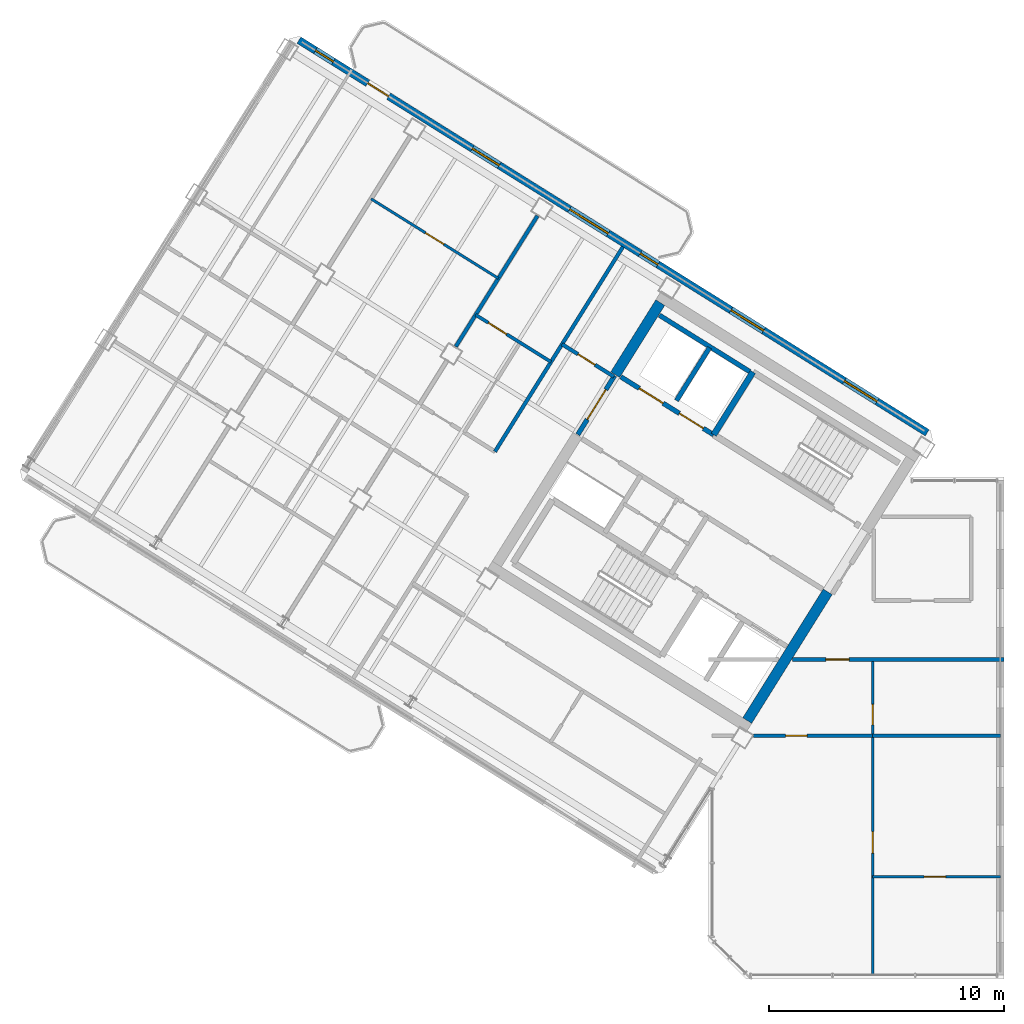
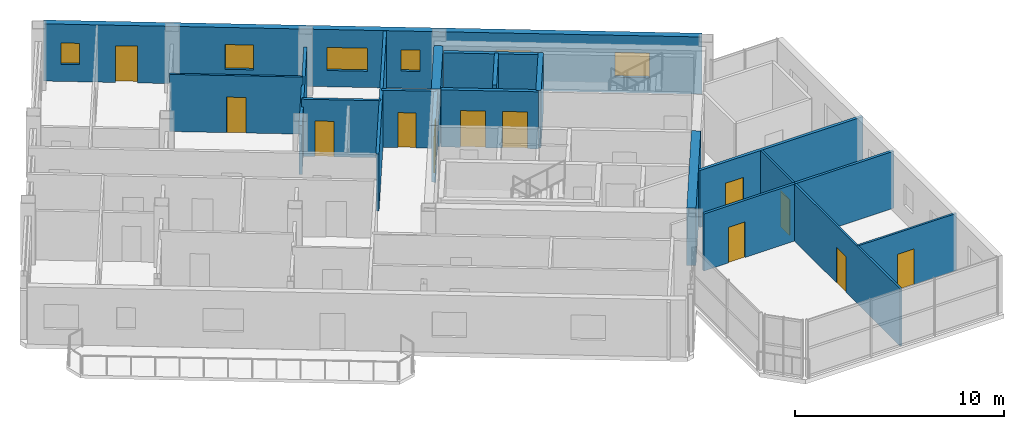
# One storey, part 10 of 17: 18 walls, 12 doors, 6 windows, 18 openings.
"""IFC4 building model written with IfcOpenShell, lengths in metres."""

from ifc_helpers import new_model, si_unit, direction, frame, frame_2d, origin, place, context, subcontext, project, spatial, rectangle, extrude, source, transform, mapped, material, layer, layer_set, type_object, element, fill, save


model = new_model("IFC4")

# Units and contexts
model_context = context("Model", 3, precision=1e-05, world=origin(), true_north=direction((0.0, 1.0)))
body_context = subcontext(model_context, "Body", "Model", "MODEL_VIEW")
ifc_project = project(units=[si_unit("LENGTHUNIT", "METRE"), si_unit("AREAUNIT", "SQUARE_METRE"), si_unit("VOLUMEUNIT", "CUBIC_METRE"), si_unit("PLANEANGLEUNIT", "RADIAN"), si_unit("MASSUNIT", "GRAM", prefix="KILO")], contexts=[model_context])

# Site, building, storey
site_placement = place(None, origin())
site = spatial("IfcSite", under=ifc_project, at=site_placement, CompositionType="ELEMENT")
building_placement = place(site_placement, origin())
building = spatial("IfcBuilding", under=site, at=building_placement, Name="Tlacorven Tower", CompositionType="ELEMENT")
storey_placement = place(building_placement, frame((0.0, 0.0, 270.0)))
storey = spatial("IfcBuildingStorey", under=building, at=storey_placement, Name="L68", CompositionType="ELEMENT", Elevation=270.0)

# Walls
ifc_material_1 = material(Name="Concrete C50/60", Category="concrete")
ifc_layer_1 = layer(ifc_material_1, 0.449951171875)
ifc_layer_set_1 = layer_set([ifc_layer_1], Name="Concrete C50/60")
wall_type_1 = type_object("IfcWallType", Name="WL-COR-450", PredefinedType="SHEAR", material=ifc_layer_set_1)
wall_1_placement = place(storey_placement, frame((36.683349609375, 18.30419921875, 0.0), z_axis=(0.0, 0.0, 1.0), x_axis=(-0.529904039071, -0.848057609704, 0.0)))
element("IfcWall", 1, at=wall_1_placement, inside=storey, type_object=wall_type_1, Name="L68 W core end wall E1.2", PredefinedType="SHEAR", context=body_context, shape_type="SweptSolid", body=[
    extrude(rectangle(XDim=6.47509765625, YDim=0.449951171875, at=frame_2d((3.237548828125, 0.0))), origin(), (0.0, 0.0, 1.0), 3.35009765625),
])
wall_2_placement = place(storey_placement, frame((29.543701171875, 30.636474609375, 0.0), z_axis=(0.0, 0.0, 1.0), x_axis=(-0.529902075036, -0.848058836916, 0.0)))
element("IfcWall", 2, at=wall_2_placement, inside=storey, type_object=wall_type_1, Name="L68 W core end wall E2.1", PredefinedType="SHEAR", context=body_context, shape_type="SweptSolid", body=[
    extrude(rectangle(XDim=3.625, YDim=0.449951171875, at=frame_2d((1.8125, 0.0))), origin(), (0.0, 0.0, 1.0), 3.35009765625),
])

# Wall, opening, door
ifc_material_2 = material(Name="Gypsum plasterboard acoustic partition", Category="gypsum")
ifc_layer_2 = layer(ifc_material_2, 0.159912109375)
ifc_layer_set_2 = layer_set([ifc_layer_2], Name="Gypsum plasterboard acoustic partition")
wall_type_2 = type_object("IfcWallType", Name="WL-DEM-160", PredefinedType="PARTITIONING", material=ifc_layer_set_2)
wall_3_placement = place(storey_placement, frame((27.56982421875, 27.4775390625, 0.0), z_axis=(0.0, 0.0, 1.0), x_axis=(-0.848050851465, 0.529914854792, 0.0)))
wall_3 = element("IfcWall", 3, at=wall_3_placement, inside=storey, type_object=wall_type_2, Name="L68 partition 22", PredefinedType="PARTITIONING", context=body_context, shape_type="SweptSolid", body=[
    extrude(rectangle(XDim=2.60986328125, YDim=0.159912109375, at=frame_2d((1.304931640625, 0.0))), origin(), (0.0, 0.0, 1.0), 3.340087890625),
])
opening_1_placement = place(wall_3_placement, frame((0.949951171875, 0.0, 0.0)))
opening_1 = element("IfcOpeningElement", 4, at=opening_1_placement, cuts=wall_3, Name="Opening D19", PredefinedType="OPENING", context=body_context, shape_type="SweptSolid", body=[
    extrude(rectangle(XDim=0.860107421875, YDim=2.050048828125, at=frame_2d((0.43017578125, 1.02490234375))), frame((0.0, 0.08984375, 0.0), z_axis=(0.0, -1.0, 0.0), x_axis=(1.0, 0.0, 0.0)), (0.0, 0.0, 1.0), 0.179931640625),
])
ifc_material_3 = material(Name="Fire-rated steel door assembly", Category="steel")
door_type_1 = type_object("IfcDoorType", Name="DR-RSR-FD60-0860", OperationType="NOTDEFINED", PredefinedType="DOOR", material=ifc_material_3)
shared_shape_1 = source(origin(), body_context, "Body", "SweptSolid", [
    extrude(rectangle(XDim=0.860107421875, YDim=2.050048828125, at=frame_2d((0.43017578125, 1.02490234375))), frame((0.0, 0.02490234375, 0.0), z_axis=(0.0, -1.0, 0.0), x_axis=(1.0, 0.0, 0.0)), (0.0, 0.0, 1.0), 0.050048828125),
])
door_1_placement = place(opening_1_placement, frame((0.860107421875, 0.0, 0.0), z_axis=(0.0, 0.0, 1.0), x_axis=(-1.0, 0.0, 0.0)))
door_1 = element("IfcDoor", 5, at=door_1_placement, inside=storey, type_object=door_type_1, Name="L68 door 013", OperationType="SINGLE_SWING_RIGHT", OverallHeight=2.050048828125, OverallWidth=0.860107421875, PredefinedType="DOOR", context=body_context, shape_type="MappedRepresentation", body=[
    mapped(shared_shape_1, transform((0.0, 0.0, 0.0), scale=1.0)),
])
fill(opening_1, door_1)

# Walls
wall_4_placement = place(storey_placement, frame((27.952880859375, 33.01611328125, 0.0), z_axis=(0.0, 0.0, 1.0), x_axis=(-0.529909450694, -0.848054228257, 0.0)))
element("IfcWall", 6, at=wall_4_placement, inside=storey, type_object=wall_type_2, Name="L68 partition 24", PredefinedType="PARTITIONING", context=body_context, shape_type="SweptSolid", body=[
    extrude(rectangle(XDim=10.2998046875, YDim=0.159912109375, at=frame_2d((5.14990234375, 0.0))), origin(), (0.0, 0.0, 1.0), 3.340087890625),
])
wall_5_placement = place(storey_placement, frame((24.30859375, 34.3359375, 0.0), z_axis=(0.0, 0.0, 1.0), x_axis=(-0.529895484599, -0.848062954858, 0.0)))
element("IfcWall", 7, at=wall_5_placement, inside=storey, type_object=wall_type_2, Name="L68 WS Demising Wall 1", PredefinedType="PARTITIONING", context=body_context, shape_type="SweptSolid", body=[
    extrude(rectangle(XDim=6.576171875, YDim=0.159912109375, at=frame_2d((3.2880859375, 0.0))), origin(), (0.0, 0.0, 1.0), 2.875),
])

# Wall, opening, door
wall_6_placement = place(storey_placement, frame((35.178466796875, 15.419921875, 0.0), z_axis=(0.0, 0.0, 1.0), x_axis=(1.0, 0.0, 0.0)))
wall_6 = element("IfcWall", 8, at=wall_6_placement, inside=storey, type_object=wall_type_2, Name="L68 Knuckle Corridor South Wall", PredefinedType="PARTITIONING", context=body_context, shape_type="SweptSolid", body=[
    extrude(rectangle(XDim=9.021484375, YDim=0.159912109375, at=frame_2d((4.5107421875, 0.0))), origin(), (0.0, 0.0, 1.0), 3.340087890625),
])
opening_2_placement = place(wall_6_placement, frame((1.421630859375, 0.0, 0.0)))
opening_2 = element("IfcOpeningElement", 9, at=opening_2_placement, cuts=wall_6, Name="Opening D11", PredefinedType="OPENING", context=body_context, shape_type="SweptSolid", body=[
    extrude(rectangle(XDim=1.0, YDim=2.10009765625, at=frame_2d((0.5, 1.050048828125))), frame((0.0, 0.08984375, 0.0), z_axis=(0.0, -1.0, 0.0), x_axis=(1.0, 0.0, 0.0)), (0.0, 0.0, 1.0), 0.179931640625),
])
door_type_2 = type_object("IfcDoorType", Name="DR-FLT-FD60-1000", OperationType="NOTDEFINED", PredefinedType="DOOR", material=ifc_material_3)
shared_shape_2 = source(origin(), body_context, "Body", "SweptSolid", [
    extrude(rectangle(XDim=1.0, YDim=2.10009765625, at=frame_2d((0.5, 1.050048828125))), frame((0.0, 0.02490234375, 0.0), z_axis=(0.0, -1.0, 0.0), x_axis=(1.0, 0.0, 0.0)), (0.0, 0.0, 1.0), 0.050048828125),
])
door_2_placement = place(opening_2_placement, frame((1.0, 0.0, 0.0), z_axis=(0.0, 0.0, 1.0), x_axis=(-1.0, 0.0, 0.0)))
door_2 = element("IfcDoor", 10, at=door_2_placement, inside=storey, type_object=door_type_2, Name="L68 door 042", OperationType="SINGLE_SWING_LEFT", OverallHeight=2.10009765625, OverallWidth=1.0, PredefinedType="DOOR", context=body_context, shape_type="MappedRepresentation", body=[
    mapped(shared_shape_2, transform((0.0, 0.0, 0.0), scale=1.0)),
])
fill(opening_2, door_2)

# Wall, openings, door, windows
ifc_material_4 = material(Name="Precast concrete C45/55", Category="concrete")
ifc_layer_3 = layer(ifc_material_4, 0.320068359375)
ifc_layer_set_3 = layer_set([ifc_layer_3], Name="Precast concrete C45/55")
wall_type_3 = type_object("IfcWallType", Name="WL-EXT-320", PredefinedType="STANDARD", material=ifc_layer_set_3)
wall_7_placement = place(storey_placement, frame((14.13818359375, 41.825439453125, 0.0), z_axis=(0.0, 0.0, 1.0), x_axis=(0.848046498049, -0.529921821731, 0.0)))
wall_7 = element("IfcWall", 11, at=wall_7_placement, inside=storey, type_object=wall_type_3, Name="L68 Masonry-Frame Recessed Facade Wall 4", PredefinedType="STANDARD", context=body_context, shape_type="SweptSolid", body=[
    extrude(rectangle(XDim=31.587646484375, YDim=0.320068359375, at=frame_2d((15.7939453125, 0.0))), origin(), (0.0, 0.0, 1.0), 3.35009765625),
])
opening_3_placement = place(wall_7_placement, frame((3.4599609375, 0.0, 0.0)))
opening_3 = element("IfcOpeningElement", 12, at=opening_3_placement, cuts=wall_7, Name="Opening D06", PredefinedType="OPENING", context=body_context, shape_type="SweptSolid", body=[
    extrude(rectangle(XDim=1.050048828125, YDim=2.14990234375, at=frame_2d((0.52490234375, 1.074951171875))), frame((0.0, 0.169921875, 0.0), z_axis=(0.0, -1.0, 0.0), x_axis=(1.0, 0.0, 0.0)), (0.0, 0.0, 1.0), 0.340087890625),
])
opening_4_placement = place(wall_7_placement, frame((0.831298828125, 0.0, 1.0)))
opening_4 = element("IfcOpeningElement", 13, at=opening_4_placement, cuts=wall_7, Name="Opening WN05", PredefinedType="OPENING", context=body_context, shape_type="SweptSolid", body=[
    extrude(rectangle(XDim=0.89990234375, YDim=1.25, at=frame_2d((0.449951171875, 0.625))), frame((0.0, 0.169921875, 0.0), z_axis=(0.0, -1.0, 0.0), x_axis=(1.0, 0.0, 0.0)), (0.0, 0.0, 1.0), 0.340087890625),
])
opening_5_placement = place(wall_7_placement, frame((8.71875, 0.0, 0.89990234375)))
opening_5 = element("IfcOpeningElement", 14, at=opening_5_placement, cuts=wall_7, Name="Opening WN08", PredefinedType="OPENING", context=body_context, shape_type="SweptSolid", body=[
    extrude(rectangle(XDim=1.35009765625, YDim=1.449951171875, at=frame_2d((0.675048828125, 0.72509765625))), frame((0.0, 0.169921875, 0.0), z_axis=(0.0, -1.0, 0.0), x_axis=(1.0, 0.0, 0.0)), (0.0, 0.0, 1.0), 0.340087890625),
])
opening_6_placement = place(wall_7_placement, frame((13.5986328125, 0.0, 0.949951171875)))
opening_6 = element("IfcOpeningElement", 15, at=opening_6_placement, cuts=wall_7, Name="Opening WN09", PredefinedType="OPENING", context=body_context, shape_type="SweptSolid", body=[
    extrude(rectangle(XDim=1.949951171875, YDim=1.35009765625, at=frame_2d((0.97509765625, 0.675048828125))), frame((0.0, 0.169921875, 0.0), z_axis=(0.0, -1.0, 0.0), x_axis=(1.0, 0.0, 0.0)), (0.0, 0.0, 1.0), 0.340087890625),
])
opening_7_placement = place(wall_7_placement, frame((17.15380859375, 0.0, 1.0)))
opening_7 = element("IfcOpeningElement", 16, at=opening_7_placement, cuts=wall_7, Name="Opening WN05", PredefinedType="OPENING", context=body_context, shape_type="SweptSolid", body=[
    extrude(rectangle(XDim=0.89990234375, YDim=1.25, at=frame_2d((0.449951171875, 0.625))), frame((0.0, 0.169921875, 0.0), z_axis=(0.0, -1.0, 0.0), x_axis=(1.0, 0.0, 0.0)), (0.0, 0.0, 1.0), 0.340087890625),
])
opening_8_placement = place(wall_7_placement, frame((21.71875, 0.0, 0.89990234375)))
opening_8 = element("IfcOpeningElement", 17, at=opening_8_placement, cuts=wall_7, Name="Opening WN07", PredefinedType="OPENING", context=body_context, shape_type="SweptSolid", body=[
    extrude(rectangle(XDim=1.64990234375, YDim=1.449951171875, at=frame_2d((0.824951171875, 0.72509765625))), frame((0.0, 0.169921875, 0.0), z_axis=(0.0, -1.0, 0.0), x_axis=(1.0, 0.0, 0.0)), (0.0, 0.0, 1.0), 0.340087890625),
])
opening_9_placement = place(wall_7_placement, frame((27.418701171875, 0.0, 0.89990234375)))
opening_9 = element("IfcOpeningElement", 18, at=opening_9_placement, cuts=wall_7, Name="Opening WN07", PredefinedType="OPENING", context=body_context, shape_type="SweptSolid", body=[
    extrude(rectangle(XDim=1.64990234375, YDim=1.449951171875, at=frame_2d((0.824951171875, 0.72509765625))), frame((0.0, 0.169921875, 0.0), z_axis=(0.0, -1.0, 0.0), x_axis=(1.0, 0.0, 0.0)), (0.0, 0.0, 1.0), 0.340087890625),
])
ifc_material_5 = material(Name="Powder-coated aluminium and timber door", Category="wood")
door_type_3 = type_object("IfcDoorType", Name="DR-EXT-BALC-1050", OperationType="NOTDEFINED", PredefinedType="DOOR", material=ifc_material_5)
shared_shape_3 = source(origin(), body_context, "Body", "SweptSolid", [
    extrude(rectangle(XDim=1.050048828125, YDim=2.14990234375, at=frame_2d((0.52490234375, 1.074951171875))), frame((0.0, 0.02490234375, 0.0), z_axis=(0.0, -1.0, 0.0), x_axis=(1.0, 0.0, 0.0)), (0.0, 0.0, 1.0), 0.050048828125),
])
door_3_placement = place(opening_3_placement, origin())
door_3 = element("IfcDoor", 19, at=door_3_placement, inside=storey, type_object=door_type_3, Name="L68 Outdoor Access Door BAL-L68-W-IN", OperationType="SINGLE_SWING_RIGHT", OverallHeight=2.14990234375, OverallWidth=1.050048828125, PredefinedType="DOOR", context=body_context, shape_type="MappedRepresentation", body=[
    mapped(shared_shape_3, transform((0.0, 0.0, 0.0), scale=1.0)),
])
fill(opening_3, door_3)
ifc_material_6 = material(Name="Dark solar low-E double glazing in anodised aluminium frame", Category="aluminium")
window_type_1 = type_object("IfcWindowType", Name="WN-APT-0900X1350", PartitioningType="SINGLE_PANEL", PredefinedType="WINDOW", material=ifc_material_6)
shared_shape_4 = source(origin(), body_context, "Body", "SweptSolid", [
    extrude(rectangle(XDim=0.89990234375, YDim=1.25, at=frame_2d((0.449951171875, 0.625))), frame((0.0, 0.030029296875, 0.0), z_axis=(0.0, -1.0, 0.0), x_axis=(1.0, 0.0, 0.0)), (0.0, 0.0, 1.0), 0.06005859375),
])
window_1_placement = place(opening_4_placement, origin())
window_1 = element("IfcWindow", 20, at=window_1_placement, inside=storey, type_object=window_type_1, Name="L68 Recessed Masonry-Frame Window L68-04.1", OverallHeight=1.25, OverallWidth=0.89990234375, PartitioningType="SINGLE_PANEL", PredefinedType="WINDOW", context=body_context, shape_type="MappedRepresentation", body=[
    mapped(shared_shape_4, transform((0.0, 0.0, 0.0), scale=1.0)),
])
fill(opening_4, window_1)
window_2_placement = place(opening_7_placement, origin())
window_2 = element("IfcWindow", 21, at=window_2_placement, inside=storey, type_object=window_type_1, Name="L68 Recessed Masonry-Frame Window L68-04.4", OverallHeight=1.25, OverallWidth=0.89990234375, PartitioningType="SINGLE_PANEL", PredefinedType="WINDOW", context=body_context, shape_type="MappedRepresentation", body=[
    mapped(shared_shape_4, transform((0.0, 0.0, 0.0), scale=1.0)),
])
fill(opening_7, window_2)
window_type_2 = type_object("IfcWindowType", Name="WN-APT-1650X1600", PartitioningType="SINGLE_PANEL", PredefinedType="WINDOW", material=ifc_material_6)
shared_shape_5 = source(origin(), body_context, "Body", "SweptSolid", [
    extrude(rectangle(XDim=1.64990234375, YDim=1.449951171875, at=frame_2d((0.824951171875, 0.72509765625))), frame((0.0, 0.030029296875, 0.0), z_axis=(0.0, -1.0, 0.0), x_axis=(1.0, 0.0, 0.0)), (0.0, 0.0, 1.0), 0.06005859375),
])
window_3_placement = place(opening_8_placement, origin())
window_3 = element("IfcWindow", 22, at=window_3_placement, inside=storey, type_object=window_type_2, Name="L68 Recessed Masonry-Frame Window L68-04.5", OverallHeight=1.449951171875, OverallWidth=1.64990234375, PartitioningType="SINGLE_PANEL", PredefinedType="WINDOW", context=body_context, shape_type="MappedRepresentation", body=[
    mapped(shared_shape_5, transform((0.0, 0.0, 0.0), scale=1.0)),
])
fill(opening_8, window_3)
window_4_placement = place(opening_9_placement, origin())
window_4 = element("IfcWindow", 23, at=window_4_placement, inside=storey, type_object=window_type_2, Name="L68 Recessed Masonry-Frame Window L68-04.6", OverallHeight=1.449951171875, OverallWidth=1.64990234375, PartitioningType="SINGLE_PANEL", PredefinedType="WINDOW", context=body_context, shape_type="MappedRepresentation", body=[
    mapped(shared_shape_5, transform((0.0, 0.0, 0.0), scale=1.0)),
])
fill(opening_9, window_4)
window_type_3 = type_object("IfcWindowType", Name="WN-APT-1350X1550", PartitioningType="SINGLE_PANEL", PredefinedType="WINDOW", material=ifc_material_6)
shared_shape_6 = source(origin(), body_context, "Body", "SweptSolid", [
    extrude(rectangle(XDim=1.35009765625, YDim=1.449951171875, at=frame_2d((0.675048828125, 0.72509765625))), frame((0.0, 0.030029296875, 0.0), z_axis=(0.0, -1.0, 0.0), x_axis=(1.0, 0.0, 0.0)), (0.0, 0.0, 1.0), 0.06005859375),
])
window_5_placement = place(opening_5_placement, origin())
window_5 = element("IfcWindow", 24, at=window_5_placement, inside=storey, type_object=window_type_3, Name="L68 Recessed Masonry-Frame Window L68-04.2", OverallHeight=1.449951171875, OverallWidth=1.35009765625, PartitioningType="SINGLE_PANEL", PredefinedType="WINDOW", context=body_context, shape_type="MappedRepresentation", body=[
    mapped(shared_shape_6, transform((0.0, 0.0, 0.0), scale=1.0)),
])
fill(opening_5, window_5)
window_type_4 = type_object("IfcWindowType", Name="WN-GAL-1950X1450", PartitioningType="SINGLE_PANEL", PredefinedType="WINDOW", material=ifc_material_6)
shared_shape_7 = source(origin(), body_context, "Body", "SweptSolid", [
    extrude(rectangle(XDim=1.949951171875, YDim=1.35009765625, at=frame_2d((0.97509765625, 0.675048828125))), frame((0.0, 0.030029296875, 0.0), z_axis=(0.0, -1.0, 0.0), x_axis=(1.0, 0.0, 0.0)), (0.0, 0.0, 1.0), 0.06005859375),
])
window_6_placement = place(opening_6_placement, origin())
window_6 = element("IfcWindow", 25, at=window_6_placement, inside=storey, type_object=window_type_4, Name="L68 Recessed Masonry-Frame Window L68-04.3", OverallHeight=1.35009765625, OverallWidth=1.949951171875, PartitioningType="SINGLE_PANEL", PredefinedType="WINDOW", context=body_context, shape_type="MappedRepresentation", body=[
    mapped(shared_shape_7, transform((0.0, 0.0, 0.0), scale=1.0)),
])
fill(opening_6, window_6)

# Wall, opening, door
ifc_material_7 = material(Name="Gypsum plasterboard partition", Category="gypsum")
ifc_layer_4 = layer(ifc_material_7, 0.110107421875)
ifc_layer_set_4 = layer_set([ifc_layer_4], Name="Gypsum plasterboard partition")
wall_type_4 = type_object("IfcWallType", Name="WL-INT-110", PredefinedType="PARTITIONING", material=ifc_layer_set_4)
wall_8_placement = place(storey_placement, frame((22.6416015625, 31.66796875, 0.0), z_axis=(0.0, 0.0, 1.0), x_axis=(-0.84806687439, 0.529889211593, 0.0)))
wall_8 = element("IfcWall", 26, at=wall_8_placement, inside=storey, type_object=wall_type_4, Name="L68 partition 42", PredefinedType="PARTITIONING", context=body_context, shape_type="SweptSolid", body=[
    extrude(rectangle(XDim=6.400146484375, YDim=0.110107421875, at=frame_2d((3.2001953125, 0.0))), origin(), (0.0, 0.0, 1.0), 3.340087890625),
])
opening_10_placement = place(wall_8_placement, frame((2.739990234375, 0.0, 0.0)))
opening_10 = element("IfcOpeningElement", 27, at=opening_10_placement, cuts=wall_8, Name="Opening D12", PredefinedType="OPENING", context=body_context, shape_type="SweptSolid", body=[
    extrude(rectangle(XDim=0.919921875, YDim=2.080078125, at=frame_2d((0.4599609375, 1.0400390625))), frame((0.0, 0.06494140625, 0.0), z_axis=(0.0, -1.0, 0.0), x_axis=(1.0, 0.0, 0.0)), (0.0, 0.0, 1.0), 0.130126953125),
])
door_type_4 = type_object("IfcDoorType", Name="DR-INT-ROOM-0920", OperationType="NOTDEFINED", PredefinedType="DOOR", material=ifc_material_5)
shared_shape_8 = source(origin(), body_context, "Body", "SweptSolid", [
    extrude(rectangle(XDim=0.919921875, YDim=2.080078125, at=frame_2d((0.4599609375, 1.0400390625))), frame((0.0, 0.02490234375, 0.0), z_axis=(0.0, -1.0, 0.0), x_axis=(1.0, 0.0, 0.0)), (0.0, 0.0, 1.0), 0.050048828125),
])
door_4_placement = place(opening_10_placement, origin())
door_4 = element("IfcDoor", 28, at=door_4_placement, inside=storey, type_object=door_type_4, Name="L68 door 029", OperationType="SINGLE_SWING_LEFT", OverallHeight=2.080078125, OverallWidth=0.919921875, PredefinedType="DOOR", context=body_context, shape_type="MappedRepresentation", body=[
    mapped(shared_shape_8, transform((0.0, 0.0, 0.0), scale=1.0)),
])
fill(opening_10, door_4)

# Wall, openings, doors
wall_9_placement = place(storey_placement, frame((38.60009765625, 1.9599609375, 0.0), z_axis=(0.0, 0.0, 1.0), x_axis=(0.0, 1.0, 0.0)))
wall_9 = element("IfcWall", 29, at=wall_9_placement, inside=storey, type_object=wall_type_4, Name="L68 partition 57", PredefinedType="PARTITIONING", context=body_context, shape_type="SweptSolid", body=[
    extrude(rectangle(XDim=13.4599609375, YDim=0.110107421875, at=frame_2d((6.72998046875, 0.0))), origin(), (0.0, 0.0, 1.0), 3.340087890625),
])
opening_11_placement = place(wall_9_placement, frame((5.199951171875, 0.0, 0.0)))
opening_11 = element("IfcOpeningElement", 30, at=opening_11_placement, cuts=wall_9, Name="Opening D12", PredefinedType="OPENING", context=body_context, shape_type="SweptSolid", body=[
    extrude(rectangle(XDim=0.919921875, YDim=2.080078125, at=frame_2d((0.4599609375, 1.0400390625))), frame((0.0, 0.06494140625, 0.0), z_axis=(0.0, -1.0, 0.0), x_axis=(1.0, 0.0, 0.0)), (0.0, 0.0, 1.0), 0.130126953125),
])
opening_12_placement = place(wall_9_placement, frame((10.669921875, 0.0, 0.0)))
opening_12 = element("IfcOpeningElement", 31, at=opening_12_placement, cuts=wall_9, Name="Opening D13", PredefinedType="OPENING", context=body_context, shape_type="SweptSolid", body=[
    extrude(rectangle(XDim=0.8798828125, YDim=2.080078125, at=frame_2d((0.43994140625, 1.0400390625))), frame((0.0, 0.06494140625, 0.0), z_axis=(0.0, -1.0, 0.0), x_axis=(1.0, 0.0, 0.0)), (0.0, 0.0, 1.0), 0.130126953125),
])
door_type_5 = type_object("IfcDoorType", Name="DR-INT-WET-0880", OperationType="NOTDEFINED", PredefinedType="DOOR", material=ifc_material_5)
shared_shape_9 = source(origin(), body_context, "Body", "SweptSolid", [
    extrude(rectangle(XDim=0.8798828125, YDim=2.080078125, at=frame_2d((0.43994140625, 1.0400390625))), frame((0.0, 0.02490234375, 0.0), z_axis=(0.0, -1.0, 0.0), x_axis=(1.0, 0.0, 0.0)), (0.0, 0.0, 1.0), 0.050048828125),
])
door_5_placement = place(opening_12_placement, origin())
door_5 = element("IfcDoor", 32, at=door_5_placement, inside=storey, type_object=door_type_5, Name="L68 door 044", OperationType="SINGLE_SWING_LEFT", OverallHeight=2.080078125, OverallWidth=0.8798828125, PredefinedType="DOOR", context=body_context, shape_type="MappedRepresentation", body=[
    mapped(shared_shape_9, transform((0.0, 0.0, 0.0), scale=1.0)),
])
fill(opening_12, door_5)
door_6_placement = place(opening_11_placement, origin())
door_6 = element("IfcDoor", 33, at=door_6_placement, inside=storey, type_object=door_type_4, Name="L68 door 040", OperationType="SINGLE_SWING_LEFT", OverallHeight=2.080078125, OverallWidth=0.919921875, PredefinedType="DOOR", context=body_context, shape_type="MappedRepresentation", body=[
    mapped(shared_shape_8, transform((0.0, 0.0, 0.0), scale=1.0)),
])
fill(opening_11, door_6)

# Wall, opening, door
wall_10_placement = place(storey_placement, frame((38.60009765625, 6.14990234375, 0.0), z_axis=(0.0, 0.0, 1.0), x_axis=(1.0, 0.0, 0.0)))
wall_10 = element("IfcWall", 34, at=wall_10_placement, inside=storey, type_object=wall_type_4, Name="L68 partition 60", PredefinedType="PARTITIONING", context=body_context, shape_type="SweptSolid", body=[
    extrude(rectangle(XDim=5.4599609375, YDim=0.110107421875, at=frame_2d((2.72998046875, 0.0))), origin(), (0.0, 0.0, 1.0), 3.340087890625),
])
opening_13_placement = place(wall_10_placement, frame((2.18994140625, 0.0, 0.0)))
opening_13 = element("IfcOpeningElement", 35, at=opening_13_placement, cuts=wall_10, Name="Opening D12", PredefinedType="OPENING", context=body_context, shape_type="SweptSolid", body=[
    extrude(rectangle(XDim=0.919921875, YDim=2.080078125, at=frame_2d((0.4599609375, 1.0400390625))), frame((0.0, 0.06494140625, 0.0), z_axis=(0.0, -1.0, 0.0), x_axis=(1.0, 0.0, 0.0)), (0.0, 0.0, 1.0), 0.130126953125),
])
door_7_placement = place(opening_13_placement, origin())
door_7 = element("IfcDoor", 36, at=door_7_placement, inside=storey, type_object=door_type_4, Name="L68 door 041", OperationType="SINGLE_SWING_RIGHT", OverallHeight=2.080078125, OverallWidth=0.919921875, PredefinedType="DOOR", context=body_context, shape_type="MappedRepresentation", body=[
    mapped(shared_shape_8, transform((0.0, 0.0, 0.0), scale=1.0)),
])
fill(opening_13, door_7)

ifc_material_8 = material(Name="Moisture-resistant gypsum plumbing wall", Category="gypsum")
ifc_layer_5 = layer(ifc_material_8, 0.139892578125)
ifc_layer_set_5 = layer_set([ifc_layer_5], Name="Moisture-resistant gypsum plumbing wall")
wall_type_5 = type_object("IfcWallType", Name="WL-PLM-140", PredefinedType="PLUMBINGWALL", material=ifc_layer_set_5)
wall_11_placement = place(storey_placement, frame((24.884765625, 28.10595703125, 0.0), z_axis=(0.0, 0.0, 1.0), x_axis=(-0.848059820872, 0.529900500304, 0.0)))
wall_11 = element("IfcWall", 37, at=wall_11_placement, inside=storey, type_object=wall_type_5, Name="L68 partition 39", PredefinedType="PLUMBINGWALL", context=body_context, shape_type="SweptSolid", body=[
    extrude(rectangle(XDim=3.7900390625, YDim=0.139892578125, at=frame_2d((1.89501953125, 0.0))), origin(), (0.0, 0.0, 1.0), 3.340087890625),
])
opening_14_placement = place(wall_11_placement, frame((2.22998046875, 0.0, 0.0)))
opening_14 = element("IfcOpeningElement", 38, at=opening_14_placement, cuts=wall_11, Name="Opening D12", PredefinedType="OPENING", context=body_context, shape_type="SweptSolid", body=[
    extrude(rectangle(XDim=0.919921875, YDim=2.080078125, at=frame_2d((0.4599609375, 1.0400390625))), frame((0.0, 0.080078125, 0.0), z_axis=(0.0, -1.0, 0.0), x_axis=(1.0, 0.0, 0.0)), (0.0, 0.0, 1.0), 0.159912109375),
])
door_8_placement = place(opening_14_placement, origin())
door_8 = element("IfcDoor", 39, at=door_8_placement, inside=storey, type_object=door_type_4, Name="L68 door 026", OperationType="SINGLE_SWING_RIGHT", OverallHeight=2.080078125, OverallWidth=0.919921875, PredefinedType="DOOR", context=body_context, shape_type="MappedRepresentation", body=[
    mapped(shared_shape_8, transform((0.0, 0.0, 0.0), scale=1.0)),
])
fill(opening_14, door_8)

wall_12_placement = place(storey_placement, frame((33.52490234375, 12.169921875, 0.0), z_axis=(0.0, 0.0, 1.0), x_axis=(1.0, 0.0, 0.0)))
wall_12 = element("IfcWall", 40, at=wall_12_placement, inside=storey, type_object=wall_type_5, Name="L68 partition 58", PredefinedType="PLUMBINGWALL", context=body_context, shape_type="SweptSolid", body=[
    extrude(rectangle(XDim=5.0751953125, YDim=0.139892578125, at=frame_2d((2.53759765625, 0.0))), origin(), (0.0, 0.0, 1.0), 3.340087890625),
])
opening_15_placement = place(wall_12_placement, frame((1.364990234375, 0.0, 0.0)))
opening_15 = element("IfcOpeningElement", 41, at=opening_15_placement, cuts=wall_12, Name="Opening D12", PredefinedType="OPENING", context=body_context, shape_type="SweptSolid", body=[
    extrude(rectangle(XDim=0.919921875, YDim=2.080078125, at=frame_2d((0.4599609375, 1.0400390625))), frame((0.0, 0.080078125, 0.0), z_axis=(0.0, -1.0, 0.0), x_axis=(1.0, 0.0, 0.0)), (0.0, 0.0, 1.0), 0.159912109375),
])
door_9_placement = place(opening_15_placement, frame((0.919921875, 0.0, 0.0), z_axis=(0.0, 0.0, 1.0), x_axis=(-1.0, 0.0, 0.0)))
door_9 = element("IfcDoor", 42, at=door_9_placement, inside=storey, type_object=door_type_4, Name="L68 door 043", OperationType="SINGLE_SWING_RIGHT", OverallHeight=2.080078125, OverallWidth=0.919921875, PredefinedType="DOOR", context=body_context, shape_type="MappedRepresentation", body=[
    mapped(shared_shape_8, transform((0.0, 0.0, 0.0), scale=1.0)),
])
fill(opening_15, door_9)

# Wall
wall_13_placement = place(storey_placement, frame((38.60009765625, 12.169921875, 0.0), z_axis=(0.0, 0.0, 1.0), x_axis=(1.0, 0.0, 0.0)))
element("IfcWall", 43, at=wall_13_placement, inside=storey, type_object=wall_type_5, Name="L68 partition 59", PredefinedType="PLUMBINGWALL", context=body_context, shape_type="SweptSolid", body=[
    extrude(rectangle(XDim=5.4599609375, YDim=0.139892578125, at=frame_2d((2.72998046875, 0.0))), origin(), (0.0, 0.0, 1.0), 3.340087890625),
])

# Wall, openings, doors
ifc_material_9 = material(Name="Concrete C40/50", Category="concrete")
ifc_layer_6 = layer(ifc_material_9, 0.199951171875)
ifc_layer_set_6 = layer_set([ifc_layer_6], Name="Concrete C40/50")
wall_type_6 = type_object("IfcWallType", Name="WL-SHF-200", PredefinedType="STANDARD", material=ifc_layer_set_6)
wall_14_placement = place(storey_placement, frame((31.82177734375, 24.99755859375, 0.0), z_axis=(0.0, 0.0, 1.0), x_axis=(-0.848054125777, 0.529909614701, 0.0)))
wall_14 = element("IfcWall", 44, at=wall_14_placement, inside=storey, type_object=wall_type_6, Name="L68 Core W South Lift Shaft Wall", PredefinedType="STANDARD", context=body_context, shape_type="SweptSolid", body=[
    extrude(rectangle(XDim=4.66796875, YDim=0.199951171875, at=frame_2d((2.333984375, 0.0))), origin(), (0.0, 0.0, 1.0), 3.340087890625),
])
opening_16_placement = place(wall_14_placement, frame((0.52001953125, 0.0, 0.0)))
opening_16 = element("IfcOpeningElement", 45, at=opening_16_placement, cuts=wall_14, Name="Opening LD02", PredefinedType="OPENING", context=body_context, shape_type="SweptSolid", body=[
    extrude(rectangle(XDim=1.199951171875, YDim=2.14990234375, at=frame_2d((0.60009765625, 1.074951171875))), frame((0.0, 0.10986328125, 0.0), z_axis=(0.0, -1.0, 0.0), x_axis=(1.0, 0.0, 0.0)), (0.0, 0.0, 1.0), 0.219970703125),
])
opening_17_placement = place(wall_14_placement, frame((2.5400390625, 0.0, 0.0)))
opening_17 = element("IfcOpeningElement", 46, at=opening_17_placement, cuts=wall_14, Name="Opening LD02", PredefinedType="OPENING", context=body_context, shape_type="SweptSolid", body=[
    extrude(rectangle(XDim=1.199951171875, YDim=2.14990234375, at=frame_2d((0.60009765625, 1.074951171875))), frame((0.0, 0.10986328125, 0.0), z_axis=(0.0, -1.0, 0.0), x_axis=(1.0, 0.0, 0.0)), (0.0, 0.0, 1.0), 0.219970703125),
])
door_type_6 = type_object("IfcDoorType", Name="DR-LFT-SLID-1200", OperationType="DOUBLE_DOOR_SLIDING", PredefinedType="DOOR", material=ifc_material_3)
shared_shape_10 = source(origin(), body_context, "Body", "SweptSolid", [
    extrude(rectangle(XDim=1.199951171875, YDim=2.14990234375, at=frame_2d((0.60009765625, 1.074951171875))), frame((0.0, 0.02490234375, 0.0), z_axis=(0.0, -1.0, 0.0), x_axis=(1.0, 0.0, 0.0)), (0.0, 0.0, 1.0), 0.050048828125),
])
door_10_placement = place(opening_16_placement, origin())
door_10 = element("IfcDoor", 47, at=door_10_placement, inside=storey, type_object=door_type_6, Name="L68 Lift PL-H1 Sliding Landing Door", OperationType="DOUBLE_DOOR_SLIDING", OverallHeight=2.14990234375, OverallWidth=1.199951171875, PredefinedType="DOOR", context=body_context, shape_type="MappedRepresentation", body=[
    mapped(shared_shape_10, transform((0.0, 0.0, 0.0), scale=1.0)),
])
fill(opening_16, door_10)
door_11_placement = place(opening_17_placement, origin())
door_11 = element("IfcDoor", 48, at=door_11_placement, inside=storey, type_object=door_type_6, Name="L68 Lift PL-H2 Sliding Landing Door", OperationType="DOUBLE_DOOR_SLIDING", OverallHeight=2.14990234375, OverallWidth=1.199951171875, PredefinedType="DOOR", context=body_context, shape_type="MappedRepresentation", body=[
    mapped(shared_shape_10, transform((0.0, 0.0, 0.0), scale=1.0)),
])
fill(opening_17, door_11)

# Walls
wall_15_placement = place(storey_placement, frame((31.645263671875, 28.716064453125, 0.0), z_axis=(0.0, 0.0, 1.0), x_axis=(-0.52986693015, -0.848080795876, 0.0)))
element("IfcWall", 49, at=wall_15_placement, inside=storey, type_object=wall_type_6, Name="L68 partition 12", PredefinedType="STANDARD", context=body_context, shape_type="SweptSolid", body=[
    extrude(rectangle(XDim=2.659912109375, YDim=0.199951171875, at=frame_2d((1.330078125, 0.0))), origin(), (0.0, 0.0, 1.0), 3.340087890625),
])
wall_16_placement = place(storey_placement, frame((33.362548828125, 27.690185546875, 0.0), z_axis=(0.0, 0.0, 1.0), x_axis=(-0.84804957148, 0.529916903215, 0.0)))
element("IfcWall", 50, at=wall_16_placement, inside=storey, type_object=wall_type_6, Name="L68 partition 14", PredefinedType="STANDARD", context=body_context, shape_type="SweptSolid", body=[
    extrude(rectangle(XDim=4.547607421875, YDim=0.199951171875, at=frame_2d((2.27392578125, 0.0))), origin(), (0.0, 0.0, 1.0), 3.340087890625),
])

# Wall, opening, door
wall_17_placement = place(storey_placement, frame((27.59619140625, 27.52001953125, 0.0), z_axis=(0.0, 0.0, 1.0), x_axis=(-0.529865479138, -0.848081702443, 0.0)))
wall_17 = element("IfcWall", 51, at=wall_17_placement, inside=storey, type_object=wall_type_6, Name="L68 partition 21", PredefinedType="STANDARD", context=body_context, shape_type="SweptSolid", body=[
    extrude(rectangle(XDim=2.9599609375, YDim=0.199951171875, at=frame_2d((1.47998046875, 0.0))), origin(), (0.0, 0.0, 1.0), 3.340087890625),
])
opening_18_placement = place(wall_17_placement, frame((0.699951171875, 0.0, 0.0)))
opening_18 = element("IfcOpeningElement", 52, at=opening_18_placement, cuts=wall_17, Name="Opening D10", PredefinedType="OPENING", context=body_context, shape_type="SweptSolid", body=[
    extrude(rectangle(XDim=1.5, YDim=2.14990234375, at=frame_2d((0.75, 1.074951171875))), frame((0.0, 0.10986328125, 0.0), z_axis=(0.0, -1.0, 0.0), x_axis=(1.0, 0.0, 0.0)), (0.0, 0.0, 1.0), 0.219970703125),
])
door_type_7 = type_object("IfcDoorType", Name="DR-LOB-FD60-1500", OperationType="DOUBLE_DOOR_SINGLE_SWING", PredefinedType="DOOR", material=ifc_material_3)
shared_shape_11 = source(origin(), body_context, "Body", "SweptSolid", [
    extrude(rectangle(XDim=1.5, YDim=2.14990234375, at=frame_2d((0.75, 1.074951171875))), frame((0.0, 0.02490234375, 0.0), z_axis=(0.0, -1.0, 0.0), x_axis=(1.0, 0.0, 0.0)), (0.0, 0.0, 1.0), 0.050048828125),
])
door_12_placement = place(opening_18_placement, origin())
door_12 = element("IfcDoor", 53, at=door_12_placement, inside=storey, type_object=door_type_7, Name="L68 door 014", OperationType="DOUBLE_DOOR_SINGLE_SWING", OverallHeight=2.14990234375, OverallWidth=1.5, PredefinedType="DOOR", context=body_context, shape_type="MappedRepresentation", body=[
    mapped(shared_shape_11, transform((0.0, 0.0, 0.0), scale=1.0)),
])
fill(opening_18, door_12)

# Wall
ifc_layer_7 = layer(ifc_material_1, 0.260009765625)
ifc_layer_set_7 = layer_set([ifc_layer_7], Name="Concrete C50/60")
wall_type_7 = type_object("IfcWallType", Name="WL-STW-260", PredefinedType="SHEAR", material=ifc_layer_set_7)
wall_18_placement = place(storey_placement, frame((33.496337890625, 27.677490234375, 0.0), z_axis=(0.0, 0.0, 1.0), x_axis=(-0.529908658664, -0.84805472316, 0.0)))
element("IfcWall", 54, at=wall_18_placement, inside=storey, type_object=wall_type_7, Name="L68 Stair W2 East Shear Wall", PredefinedType="SHEAR", context=body_context, shape_type="SweptSolid", body=[
    extrude(rectangle(XDim=3.16015625, YDim=0.260009765625, at=frame_2d((1.580078125, 0.0))), origin(), (0.0, 0.0, 1.0), 3.35009765625),
])

save(model, "model.ifc")
